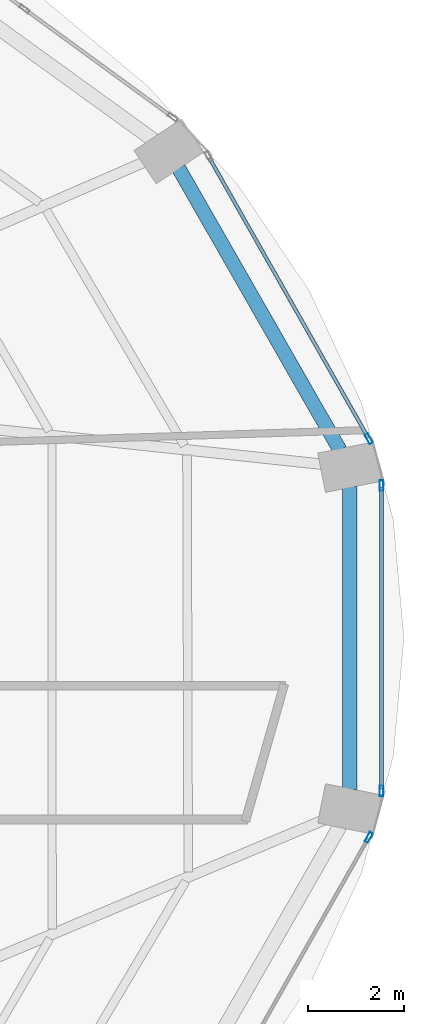
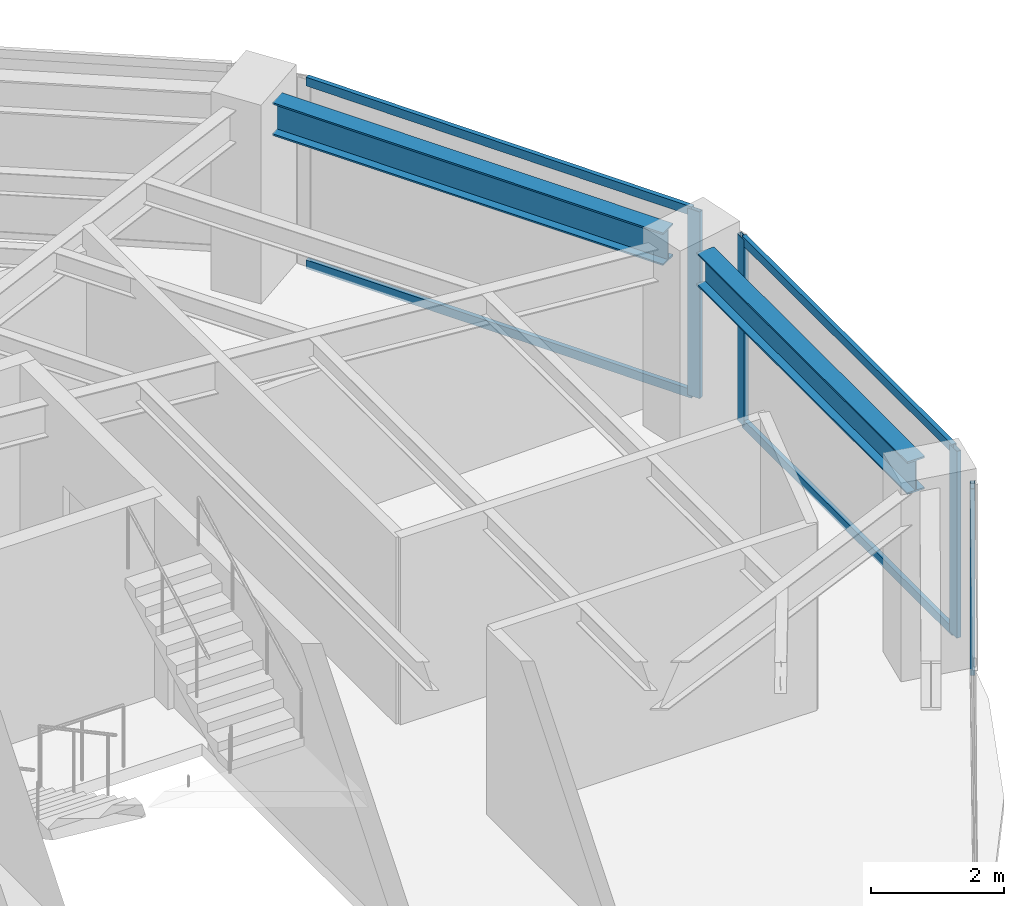
# One storey, part 13 of 24: 8 members, 2 beams, 3 elements without a shape of their own.
"""IFC4 building model written with IfcOpenShell, lengths in metres."""

from ifc_helpers import new_model, si_unit, direction, frame, origin, origin_2d, place, context, subcontext, project, spatial, hollow_rectangle, i_section, extrude, material, layer, layer_set, material_profile, profile_set, type_object, element, aggregate, save


model = new_model("IFC4")

# Units and contexts
model_context = context("Model", 3, precision=1e-05, world=origin(), true_north=direction((0.0, 1.0)))
body_context = subcontext(model_context, "Body", "Model", "MODEL_VIEW")
ifc_project = project(units=[si_unit("LENGTHUNIT", "METRE"), si_unit("AREAUNIT", "SQUARE_METRE"), si_unit("VOLUMEUNIT", "CUBIC_METRE"), si_unit("PLANEANGLEUNIT", "RADIAN"), si_unit("MASSUNIT", "GRAM", prefix="KILO")], contexts=[model_context])

# Site, building, storey
site_placement = place(None, origin())
site = spatial("IfcSite", under=ifc_project, at=site_placement, CompositionType="ELEMENT")
building_placement = place(site_placement, origin())
building = spatial("IfcBuilding", under=site, at=building_placement, Name="Lazwardi Medical Tower", CompositionType="ELEMENT")
storey_placement = place(building_placement, frame((0.0, 0.0, 99.98388671875)))
storey = spatial("IfcBuildingStorey", under=building, at=storey_placement, Name="L25", CompositionType="ELEMENT", Elevation=99.98388671875)

# Beams
ifc_material_1 = material(Name="Steel S355", Category="steel")
ifc_material_profile_1 = material_profile(ifc_material_1, i_section(OverallWidth=0.300048828125, OverallDepth=0.60009765625, WebThickness=0.015380859375, FlangeThickness=0.030029296875, at=origin_2d()), Name="HEB 600")
ifc_profile_set_1 = profile_set([ifc_material_profile_1], Name="Steel S355")
beam_type = type_object("IfcBeamType", Name="BM-RB-Z2", PredefinedType="BEAM", material=ifc_profile_set_1)
beam_1_placement = place(storey_placement, frame((60.86279296875, 27.22998046875, 3.128173828125), z_axis=(0.0, 1.0, 0.0), x_axis=(-1.0, 0.0, 0.0)))
element("IfcBeam", 1, at=beam_1_placement, inside=storey, type_object=beam_type, Name="Ring beam RB-03 B04 L25", PredefinedType="BEAM", context=body_context, shape_type="SweptSolid", body=[
    extrude(i_section(OverallWidth=0.300048828125, OverallDepth=0.60009765625, WebThickness=0.015380859375, FlangeThickness=0.030029296875, at=origin_2d()), origin(), (0.0, 0.0, 1.0), 6.33984375),
])
beam_2_placement = place(storey_placement, frame((60.6591796875, 34.335693359375, 3.128173828125), z_axis=(-0.496637551254, 0.867958030486, 0.0), x_axis=(-0.867958030486, -0.496637551254, 0.0)))
element("IfcBeam", 2, at=beam_2_placement, inside=storey, type_object=beam_type, Name="Ring beam RB-03 B05 L25", PredefinedType="BEAM", context=body_context, shape_type="SweptSolid", body=[
    extrude(i_section(OverallWidth=0.300048828125, OverallDepth=0.60009765625, WebThickness=0.015380859375, FlangeThickness=0.030029296875, at=origin_2d()), origin(), (0.0, 0.0, 1.0), 6.801025390625),
])

# Curtain wall, member
ifc_material_2 = material(Name="Anodised bronze aluminium and solar control glazing", Category="aluminium")
ifc_layer = layer(ifc_material_2, 0.195068359375)
ifc_layer_set = layer_set([ifc_layer], Name="Anodised bronze aluminium and solar control glazing")
curtain_wall_type = type_object("IfcCurtainWallType", Name="CW-SYS-03", PredefinedType="NOTDEFINED", material=ifc_layer_set)
curtain_wall_1_placement = place(storey_placement, origin())
curtain_wall_1 = element("IfcCurtainWall", 3, at=curtain_wall_1_placement, inside=storey, type_object=curtain_wall_type, Name="L25 Unitised bronze curtain wall CW-03", PredefinedType="NOTDEFINED")
ifc_material_3 = material(Name="Anodised bronze aluminium", Category="aluminium")
ifc_material_profile_2 = material_profile(ifc_material_3, hollow_rectangle(XDim=0.074951171875, YDim=0.219970703125, WallThickness=0.00390625, at=origin_2d()), Name="ALU-MULLION 220x75x4")
ifc_profile_set_2 = profile_set([ifc_material_profile_2], Name="Anodised bronze aluminium")
member_type_1 = type_object("IfcMemberType", Name="CW-MUL-01", PredefinedType="MULLION", material=ifc_profile_set_2)
member_1_placement = place(storey_placement, frame((61.2626953125, 26.22607421875, 0.0), z_axis=(0.0, 0.0, 1.0), x_axis=(-0.869687265712, 0.493603140041, 0.0)))
member_1 = element("IfcMember", 4, at=member_1_placement, type_object=member_type_1, Name="CW-03 mullion 2", PredefinedType="MULLION", context=body_context, shape_type="SweptSolid", body=[
    extrude(hollow_rectangle(XDim=0.074951171875, YDim=0.219970703125, WallThickness=0.00390625, at=origin_2d()), origin(), (0.0, 0.0, 1.0), 3.42822265625),
])
aggregate(curtain_wall_1, [member_1])

# Curtain wall, members
curtain_wall_2_placement = place(storey_placement, origin())
curtain_wall_2 = element("IfcCurtainWall", 5, at=curtain_wall_2_placement, inside=storey, type_object=curtain_wall_type, Name="L25 Unitised bronze curtain wall CW-03", PredefinedType="NOTDEFINED")
member_2_placement = place(storey_placement, frame((61.528076171875, 27.20263671875, 0.0), z_axis=(0.0, 0.0, 1.0), x_axis=(-1.0, 0.0, 0.0)))
member_2 = element("IfcMember", 6, at=member_2_placement, type_object=member_type_1, Name="CW-03 mullion 1", PredefinedType="MULLION", context=body_context, shape_type="SweptSolid", body=[
    extrude(hollow_rectangle(XDim=0.074951171875, YDim=0.219970703125, WallThickness=0.00390625, at=origin_2d()), origin(), (0.0, 0.0, 1.0), 3.42822265625),
])
member_3_placement = place(storey_placement, frame((61.528076171875, 33.597412109375, 0.0), z_axis=(0.0, 0.0, 1.0), x_axis=(-1.0, 0.0, 0.0)))
member_3 = element("IfcMember", 7, at=member_3_placement, type_object=member_type_1, Name="CW-03 mullion 2", PredefinedType="MULLION", context=body_context, shape_type="SweptSolid", body=[
    extrude(hollow_rectangle(XDim=0.074951171875, YDim=0.219970703125, WallThickness=0.00390625, at=origin_2d()), origin(), (0.0, 0.0, 1.0), 3.42822265625),
])

# Curtain wall, member
curtain_wall_3_placement = place(storey_placement, origin())
curtain_wall_3 = element("IfcCurtainWall", 8, at=curtain_wall_3_placement, inside=storey, type_object=curtain_wall_type, Name="L25 Unitised bronze curtain wall CW-03", PredefinedType="NOTDEFINED")
member_4_placement = place(storey_placement, frame((61.2626953125, 34.57373046875, 0.0), z_axis=(0.0, 0.0, 1.0), x_axis=(-0.869687265712, -0.493603140041, 0.0)))
member_4 = element("IfcMember", 9, at=member_4_placement, type_object=member_type_1, Name="CW-03 mullion 1", PredefinedType="MULLION", context=body_context, shape_type="SweptSolid", body=[
    extrude(hollow_rectangle(XDim=0.074951171875, YDim=0.219970703125, WallThickness=0.00390625, at=origin_2d()), origin(), (0.0, 0.0, 1.0), 3.42822265625),
])

# Member
ifc_material_profile_3 = material_profile(ifc_material_3, hollow_rectangle(XDim=0.074951171875, YDim=0.159912109375, WallThickness=0.00390625, at=origin_2d()), Name="ALU-TRANSOM 160x75x4")
ifc_profile_set_3 = profile_set([ifc_material_profile_3], Name="Anodised bronze aluminium")
member_type_2 = type_object("IfcMemberType", Name="CW-TRN-01", PredefinedType="USERDEFINED", material=ifc_profile_set_3)
member_5_placement = place(storey_placement, frame((61.528076171875, 27.239990234375, 0.03759765625), z_axis=(0.0, 1.0, 0.0), x_axis=(-1.0, 0.0, 0.0)))
member_5 = element("IfcMember", 10, at=member_5_placement, type_object=member_type_2, Name="CW-03 transom 1.1", ObjectType="TRANSOM", PredefinedType="USERDEFINED", context=body_context, shape_type="SweptSolid", body=[
    extrude(hollow_rectangle(XDim=0.074951171875, YDim=0.159912109375, WallThickness=0.00390625, at=origin_2d()), origin(), (0.0, 0.0, 1.0), 6.31982421875),
])

member_6_placement = place(storey_placement, frame((61.528076171875, 27.239990234375, 3.390625), z_axis=(0.0, 1.0, 0.0), x_axis=(-1.0, 0.0, 0.0)))
member_6 = element("IfcMember", 11, at=member_6_placement, type_object=member_type_2, Name="CW-03 transom 1.2", ObjectType="TRANSOM", PredefinedType="USERDEFINED", context=body_context, shape_type="SweptSolid", body=[
    extrude(hollow_rectangle(XDim=0.074951171875, YDim=0.159912109375, WallThickness=0.00390625, at=origin_2d()), origin(), (0.0, 0.0, 1.0), 6.31982421875),
])

aggregate(curtain_wall_2, [member_2, member_3, member_5, member_6])

member_7_placement = place(storey_placement, frame((61.244140625, 34.6064453125, 0.03759765625), z_axis=(-0.493614427365, 0.869680859337, 0.0), x_axis=(-0.869680859337, -0.493614427365, 0.0)))
member_7 = element("IfcMember", 12, at=member_7_placement, type_object=member_type_2, Name="CW-03 transom 1.1", ObjectType="TRANSOM", PredefinedType="USERDEFINED", context=body_context, shape_type="SweptSolid", body=[
    extrude(hollow_rectangle(XDim=0.074951171875, YDim=0.159912109375, WallThickness=0.00390625, at=origin_2d()), origin(), (0.0, 0.0, 1.0), 6.72314453125),
])

member_8_placement = place(storey_placement, frame((61.244140625, 34.6064453125, 3.390625), z_axis=(-0.493614427365, 0.869680859337, 0.0), x_axis=(-0.869680859337, -0.493614427365, 0.0)))
member_8 = element("IfcMember", 13, at=member_8_placement, type_object=member_type_2, Name="CW-03 transom 1.2", ObjectType="TRANSOM", PredefinedType="USERDEFINED", context=body_context, shape_type="SweptSolid", body=[
    extrude(hollow_rectangle(XDim=0.074951171875, YDim=0.159912109375, WallThickness=0.00390625, at=origin_2d()), origin(), (0.0, 0.0, 1.0), 6.72314453125),
])

aggregate(curtain_wall_3, [member_4, member_7, member_8])

save(model, "model.ifc")
